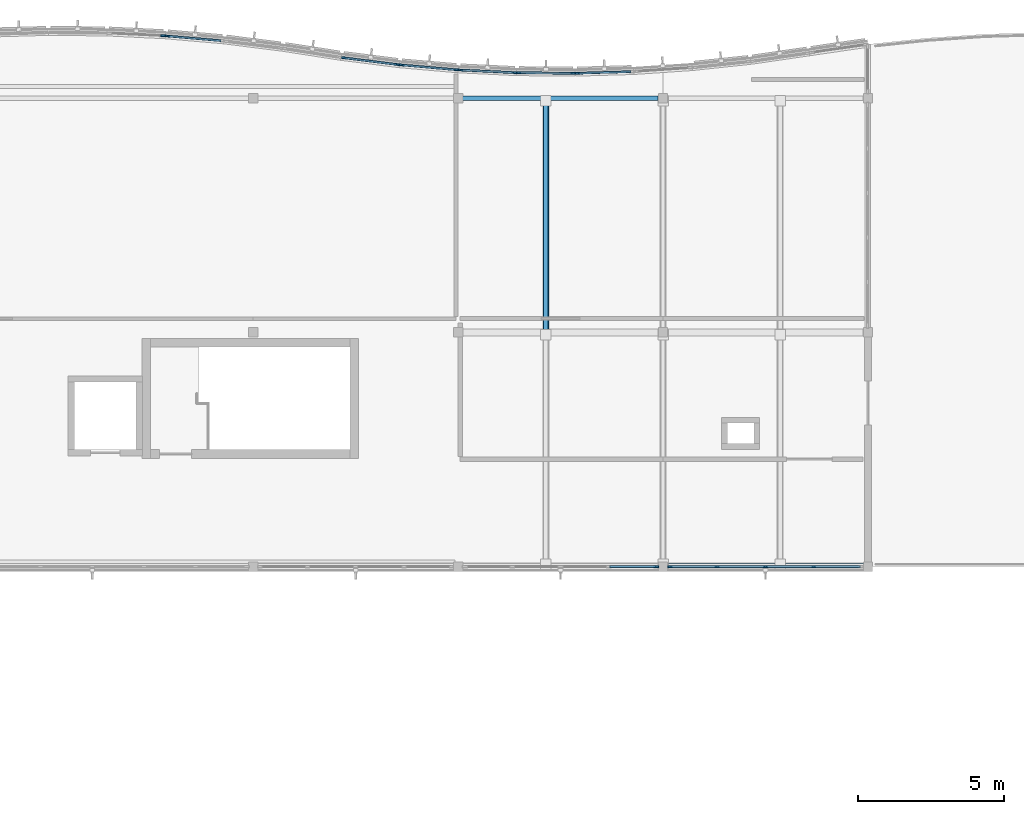
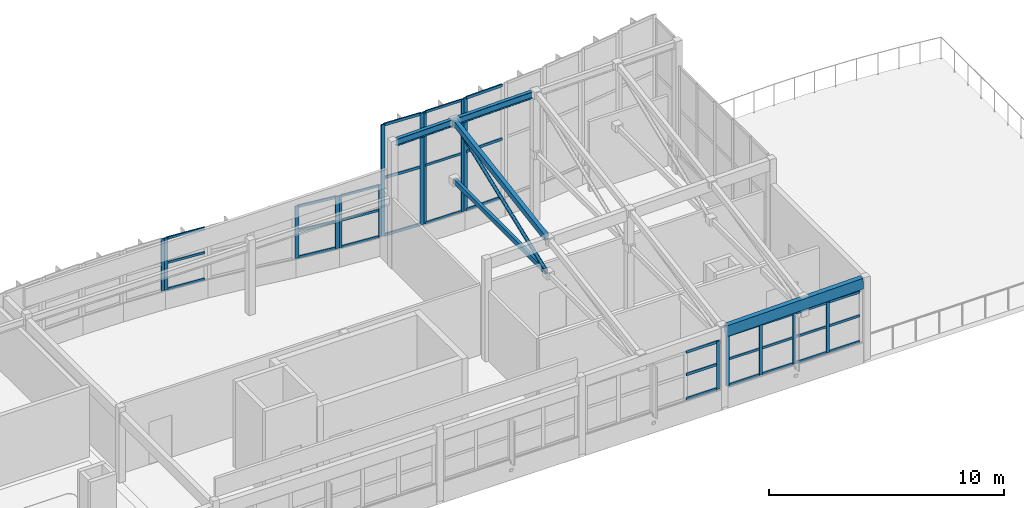
# One storey, part 11 of 33: 52 members, 2 beams, 9 elements without a shape of their own.
"""IFC4 building model written with IfcOpenShell, lengths in metres."""

from ifc_helpers import new_model, si_unit, direction, frame, origin, origin_2d, place, context, subcontext, project, spatial, rectangle, hollow_rectangle, hollow_circle, i_section, extrude, material, layer, layer_set, material_profile, profile_set, type_object, element, aggregate, save


model = new_model("IFC4")

# Units and contexts
model_context = context("Model", 3, precision=1e-05, world=origin(), true_north=direction((0.0, 1.0)))
body_context = subcontext(model_context, "Body", "Model", "MODEL_VIEW")
ifc_project = project(units=[si_unit("LENGTHUNIT", "METRE"), si_unit("AREAUNIT", "SQUARE_METRE"), si_unit("VOLUMEUNIT", "CUBIC_METRE"), si_unit("PLANEANGLEUNIT", "RADIAN"), si_unit("MASSUNIT", "GRAM", prefix="KILO")], contexts=[model_context])

# Site, building, storey
site_placement = place(None, origin())
site = spatial("IfcSite", under=ifc_project, at=site_placement, CompositionType="ELEMENT")
building_placement = place(site_placement, origin())
building = spatial("IfcBuilding", under=site, at=building_placement, Name="Tonlespit Floodbar School", CompositionType="ELEMENT")
storey_placement = place(building_placement, frame((0.0, 0.0, 16.199951171875)))
storey = spatial("IfcBuildingStorey", under=building, at=storey_placement, Name="L04", CompositionType="ELEMENT", Elevation=16.199951171875)

# Beam
ifc_material_1 = material(Name="Glulam GL28h", Category="wood")
ifc_material_profile_1 = material_profile(ifc_material_1, rectangle(XDim=0.239990234375, YDim=0.56005859375, at=origin_2d()), Name="GL 240x560")
ifc_profile_set_1 = profile_set([ifc_material_profile_1], Name="Glulam GL28h")
beam_type_1 = type_object("IfcBeamType", Name="Beam_GL_240x560", PredefinedType="BEAM", material=ifc_profile_set_1)
beam_1_placement = place(storey_placement, frame((141.159912109375, 104.0, 3.868408203125), z_axis=(0.999786121149, 0.0, 0.020681198179), x_axis=(0.0, 1.0, 0.0)))
element("IfcBeam", 1, at=beam_1_placement, inside=storey, type_object=beam_type_1, Name="L04 girder 1290", PredefinedType="BEAM", context=body_context, shape_type="SweptSolid", body=[
    extrude(rectangle(XDim=0.239990234375, YDim=0.56005859375, at=origin_2d()), origin(), (0.0, 0.0, 1.0), 6.681640625),
])

# Member
ifc_material_2 = material(Name="Steel S355", Category="steel")
ifc_material_profile_2 = material_profile(ifc_material_2, hollow_circle(Radius=0.084228515625, WallThickness=0.008056640625, at=origin_2d()), Name="CHS 168.3x8")
ifc_profile_set_2 = profile_set([ifc_material_profile_2], Name="Steel S355")
member_type_1 = type_object("IfcMemberType", Name="Brace_STL_CHS168", PredefinedType="BRACE", material=ifc_profile_set_2)
member_1_placement = place(storey_placement, frame((137.0, 112.1201171875, 3.47998046875), z_axis=(0.0, 0.933558161895, 0.358425945432), x_axis=(-1.0, 0.0, 0.0)))
element("IfcMember", 2, at=member_1_placement, inside=storey, type_object=member_type_1, Name="Northlight truss diagonal web 1-2", PredefinedType="BRACE", context=body_context, shape_type="SweptSolid", body=[
    extrude(hollow_circle(Radius=0.084228515625, WallThickness=0.008056640625, at=origin_2d()), origin(), (0.0, 0.0, 1.0), 8.31201171875),
])

# Curtain wall, member
ifc_material_3 = material(Name="Anodised Aluminium", Category="aluminium")
ifc_layer_1 = layer(ifc_material_3, 0.159912109375)
ifc_layer_set_1 = layer_set([ifc_layer_1], Name="Anodised Aluminium")
curtain_wall_type_1 = type_object("IfcCurtainWallType", Name="CurtainWall_1950x2700", PredefinedType="NOTDEFINED", material=ifc_layer_set_1)
curtain_wall_1_placement = place(storey_placement, origin())
curtain_wall_1 = element("IfcCurtainWall", 3, at=curtain_wall_1_placement, inside=storey, type_object=curtain_wall_type_1, Name="L04 unitised curtain wall 0478", PredefinedType="NOTDEFINED")
ifc_material_profile_3 = material_profile(ifc_material_3, rectangle(XDim=0.06494140625, YDim=0.14990234375, at=origin_2d()), Name="ALU M65x150")
ifc_profile_set_3 = profile_set([ifc_material_profile_3], Name="Anodised Aluminium")
member_type_2 = type_object("IfcMemberType", Name="CW_Mullion_65x150", PredefinedType="MULLION", material=ifc_profile_set_3)
member_2_placement = place(storey_placement, frame((124.072265625, 122.125244140625, 0.949951171875), z_axis=(0.0, 0.0, 1.0), x_axis=(0.086531117454, 0.996249148412, 0.0)))
member_2 = element("IfcMember", 4, at=member_2_placement, type_object=member_type_2, Name="CW-04 mullion 1", PredefinedType="MULLION", context=body_context, shape_type="SweptSolid", body=[
    extrude(rectangle(XDim=0.06494140625, YDim=0.14990234375, at=origin_2d()), origin(), (0.0, 0.0, 1.0), 2.7041015625),
])

# Curtain wall, members
curtain_wall_2_placement = place(storey_placement, origin())
curtain_wall_2 = element("IfcCurtainWall", 5, at=curtain_wall_2_placement, inside=storey, type_object=curtain_wall_type_1, Name="L04 unitised curtain wall 0482", PredefinedType="NOTDEFINED")
member_3_placement = place(storey_placement, frame((132.072265625, 121.135986328125, 0.949951171875), z_axis=(0.0, 0.0, 1.0), x_axis=(0.086531117454, 0.996249148412, 0.0)))
member_3 = element("IfcMember", 6, at=member_3_placement, type_object=member_type_2, Name="CW-04 mullion 1", PredefinedType="MULLION", context=body_context, shape_type="SweptSolid", body=[
    extrude(rectangle(XDim=0.06494140625, YDim=0.14990234375, at=origin_2d()), origin(), (0.0, 0.0, 1.0), 2.7041015625),
])
member_4_placement = place(storey_placement, frame((133.927734375, 120.974853515625, 0.949951171875), z_axis=(0.0, 0.0, 1.0), x_axis=(0.086531117454, 0.996249148412, 0.0)))
member_4 = element("IfcMember", 7, at=member_4_placement, type_object=member_type_2, Name="CW-04 mullion 2", PredefinedType="MULLION", context=body_context, shape_type="SweptSolid", body=[
    extrude(rectangle(XDim=0.06494140625, YDim=0.14990234375, at=origin_2d()), origin(), (0.0, 0.0, 1.0), 2.7041015625),
])

ifc_layer_2 = layer(ifc_material_3, 0.159912109375)
ifc_layer_set_2 = layer_set([ifc_layer_2], Name="Anodised Aluminium")
curtain_wall_type_2 = type_object("IfcCurtainWallType", Name="CurtainWall_1900x5850", PredefinedType="NOTDEFINED", material=ifc_layer_set_2)
curtain_wall_3_placement = place(storey_placement, origin())
curtain_wall_3 = element("IfcCurtainWall", 8, at=curtain_wall_3_placement, inside=storey, type_object=curtain_wall_type_2, Name="L04 unitised curtain wall 0484", PredefinedType="NOTDEFINED")
member_5_placement = place(storey_placement, frame((136.072509765625, 120.87158203125, 0.949951171875), z_axis=(0.0, 0.0, 1.0), x_axis=(0.009582893292, 0.999954083024, 0.0)))
member_5 = element("IfcMember", 9, at=member_5_placement, type_object=member_type_2, Name="CW-70 mullion 1", PredefinedType="MULLION", context=body_context, shape_type="SweptSolid", body=[
    extrude(rectangle(XDim=0.06494140625, YDim=0.14990234375, at=origin_2d()), origin(), (0.0, 0.0, 1.0), 5.82861328125),
])
member_6_placement = place(storey_placement, frame((137.927490234375, 120.853759765625, 0.949951171875), z_axis=(0.0, 0.0, 1.0), x_axis=(0.009582893292, 0.999954083024, 0.0)))
member_6 = element("IfcMember", 10, at=member_6_placement, type_object=member_type_2, Name="CW-70 mullion 2", PredefinedType="MULLION", context=body_context, shape_type="SweptSolid", body=[
    extrude(rectangle(XDim=0.06494140625, YDim=0.14990234375, at=origin_2d()), origin(), (0.0, 0.0, 1.0), 5.82861328125),
])

ifc_layer_3 = layer(ifc_material_3, 0.159912109375)
ifc_layer_set_3 = layer_set([ifc_layer_3], Name="Anodised Aluminium")
curtain_wall_type_3 = type_object("IfcCurtainWallType", Name="CurtainWall_6600x2650", PredefinedType="NOTDEFINED", material=ifc_layer_set_3)
curtain_wall_4_placement = place(storey_placement, origin())
curtain_wall_4 = element("IfcCurtainWall", 11, at=curtain_wall_4_placement, inside=storey, type_object=curtain_wall_type_3, Name="L04 unitised curtain wall 0492", PredefinedType="NOTDEFINED")
member_7_placement = place(storey_placement, frame((146.14990234375, 104.0, 0.949951171875), z_axis=(0.0, 0.0, 1.0), x_axis=(0.0, -1.0, 0.0)))
member_7 = element("IfcMember", 12, at=member_7_placement, type_object=member_type_2, Name="CW-77 mullion 2", PredefinedType="MULLION", context=body_context, shape_type="SweptSolid", body=[
    extrude(rectangle(XDim=0.06494140625, YDim=0.14990234375, at=origin_2d()), origin(), (0.0, 0.0, 1.0), 2.638427734375),
])
member_8_placement = place(storey_placement, frame((144.5, 104.0, 0.949951171875), z_axis=(0.0, 0.0, 1.0), x_axis=(0.0, -1.0, 0.0)))
member_8 = element("IfcMember", 13, at=member_8_placement, type_object=member_type_2, Name="CW-77 mullion 3", PredefinedType="MULLION", context=body_context, shape_type="SweptSolid", body=[
    extrude(rectangle(XDim=0.06494140625, YDim=0.14990234375, at=origin_2d()), origin(), (0.0, 0.0, 1.0), 2.638427734375),
])
member_9_placement = place(storey_placement, frame((142.85009765625, 104.0, 0.949951171875), z_axis=(0.0, 0.0, 1.0), x_axis=(0.0, -1.0, 0.0)))
member_9 = element("IfcMember", 14, at=member_9_placement, type_object=member_type_2, Name="CW-77 mullion 4", PredefinedType="MULLION", context=body_context, shape_type="SweptSolid", body=[
    extrude(rectangle(XDim=0.06494140625, YDim=0.14990234375, at=origin_2d()), origin(), (0.0, 0.0, 1.0), 2.638427734375),
])
member_10_placement = place(storey_placement, frame((141.232421875, 104.0, 0.949951171875), z_axis=(0.0, 0.0, 1.0), x_axis=(0.0, -1.0, 0.0)))
member_10 = element("IfcMember", 15, at=member_10_placement, type_object=member_type_2, Name="CW-77 mullion 5", PredefinedType="MULLION", context=body_context, shape_type="SweptSolid", body=[
    extrude(rectangle(XDim=0.06494140625, YDim=0.14990234375, at=origin_2d()), origin(), (0.0, 0.0, 1.0), 2.638427734375),
])

# Curtain wall, member
ifc_layer_4 = layer(ifc_material_3, 0.159912109375)
ifc_layer_set_4 = layer_set([ifc_layer_4], Name="Anodised Aluminium")
curtain_wall_type_4 = type_object("IfcCurtainWallType", Name="CurtainWall_1900x2700", PredefinedType="NOTDEFINED", material=ifc_layer_set_4)
curtain_wall_5_placement = place(storey_placement, origin())
curtain_wall_5 = element("IfcCurtainWall", 16, at=curtain_wall_5_placement, inside=storey, type_object=curtain_wall_type_4, Name="L04 unitised curtain wall 0477", PredefinedType="NOTDEFINED")
ifc_material_profile_4 = material_profile(ifc_material_3, rectangle(XDim=0.06494140625, YDim=0.179931640625, at=origin_2d()), Name="ALU M65x180")
ifc_profile_set_4 = profile_set([ifc_material_profile_4], Name="Anodised Aluminium")
member_type_3 = type_object("IfcMemberType", Name="CW_Mullion_65x180", PredefinedType="MULLION", material=ifc_profile_set_4)
member_11_placement = place(storey_placement, frame((123.927490234375, 122.135009765625, 0.949951171875), z_axis=(0.0, 0.0, 1.0), x_axis=(0.048121270216, 0.998841500616, 0.0)))
member_11 = element("IfcMember", 17, at=member_11_placement, type_object=member_type_3, Name="CW-05 mullion 2", PredefinedType="MULLION", context=body_context, shape_type="SweptSolid", body=[
    extrude(rectangle(XDim=0.06494140625, YDim=0.179931640625, at=origin_2d()), origin(), (0.0, 0.0, 1.0), 2.7041015625),
])
aggregate(curtain_wall_5, [member_11])

# Curtain wall, members
curtain_wall_6_placement = place(storey_placement, origin())
curtain_wall_6 = element("IfcCurtainWall", 18, at=curtain_wall_6_placement, inside=storey, type_object=curtain_wall_type_1, Name="L04 unitised curtain wall 0481", PredefinedType="NOTDEFINED")
member_12_placement = place(storey_placement, frame((130.072021484375, 121.38525390625, 0.949951171875), z_axis=(0.0, 0.0, 1.0), x_axis=(0.125013803299, 0.992155002499, 0.0)))
member_12 = element("IfcMember", 19, at=member_12_placement, type_object=member_type_3, Name="CW-04 mullion 1", PredefinedType="MULLION", context=body_context, shape_type="SweptSolid", body=[
    extrude(rectangle(XDim=0.06494140625, YDim=0.179931640625, at=origin_2d()), origin(), (0.0, 0.0, 1.0), 2.7041015625),
])
member_13_placement = place(storey_placement, frame((131.927978515625, 121.1513671875, 0.949951171875), z_axis=(0.0, 0.0, 1.0), x_axis=(0.125013803299, 0.992155002499, 0.0)))
member_13 = element("IfcMember", 20, at=member_13_placement, type_object=member_type_3, Name="CW-04 mullion 2", PredefinedType="MULLION", context=body_context, shape_type="SweptSolid", body=[
    extrude(rectangle(XDim=0.06494140625, YDim=0.179931640625, at=origin_2d()), origin(), (0.0, 0.0, 1.0), 2.7041015625),
])

ifc_layer_5 = layer(ifc_material_3, 0.159912109375)
ifc_layer_set_5 = layer_set([ifc_layer_5], Name="Anodised Aluminium")
curtain_wall_type_5 = type_object("IfcCurtainWallType", Name="CurtainWall_1900x5800", PredefinedType="NOTDEFINED", material=ifc_layer_set_5)
curtain_wall_7_placement = place(storey_placement, origin())
curtain_wall_7 = element("IfcCurtainWall", 21, at=curtain_wall_7_placement, inside=storey, type_object=curtain_wall_type_5, Name="L04 unitised curtain wall 0483", PredefinedType="NOTDEFINED")
member_14_placement = place(storey_placement, frame((134.072509765625, 120.965087890625, 0.949951171875), z_axis=(0.0, 0.0, 1.0), x_axis=(0.048121270216, 0.998841500616, 0.0)))
member_14 = element("IfcMember", 22, at=member_14_placement, type_object=member_type_3, Name="CW-69 mullion 1", PredefinedType="MULLION", context=body_context, shape_type="SweptSolid", body=[
    extrude(rectangle(XDim=0.06494140625, YDim=0.179931640625, at=origin_2d()), origin(), (0.0, 0.0, 1.0), 5.802490234375),
])
member_15_placement = place(storey_placement, frame((135.927490234375, 120.875732421875, 0.949951171875), z_axis=(0.0, 0.0, 1.0), x_axis=(0.048121270216, 0.998841500616, 0.0)))
member_15 = element("IfcMember", 23, at=member_15_placement, type_object=member_type_3, Name="CW-69 mullion 2", PredefinedType="MULLION", context=body_context, shape_type="SweptSolid", body=[
    extrude(rectangle(XDim=0.06494140625, YDim=0.179931640625, at=origin_2d()), origin(), (0.0, 0.0, 1.0), 5.802490234375),
])

# Curtain wall, member
curtain_wall_8_placement = place(storey_placement, origin())
curtain_wall_8 = element("IfcCurtainWall", 24, at=curtain_wall_8_placement, inside=storey, type_object=curtain_wall_type_2, Name="L04 unitised curtain wall 0485", PredefinedType="NOTDEFINED")
member_16_placement = place(storey_placement, frame((138.072509765625, 120.855224609375, 0.949951171875), z_axis=(0.0, 0.0, 1.0), x_axis=(-0.028790144226, 0.999585477883, 0.0)))
member_16 = element("IfcMember", 25, at=member_16_placement, type_object=member_type_3, Name="CW-70 mullion 1", PredefinedType="MULLION", context=body_context, shape_type="SweptSolid", body=[
    extrude(rectangle(XDim=0.06494140625, YDim=0.179931640625, at=origin_2d()), origin(), (0.0, 0.0, 1.0), 5.86669921875),
])

ifc_layer_6 = layer(ifc_material_3, 0.159912109375)
ifc_layer_set_6 = layer_set([ifc_layer_6], Name="Anodised Aluminium")
curtain_wall_type_6 = type_object("IfcCurtainWallType", Name="CurtainWall_6600x2500", PredefinedType="NOTDEFINED", material=ifc_layer_set_6)
curtain_wall_9_placement = place(storey_placement, origin())
curtain_wall_9 = element("IfcCurtainWall", 26, at=curtain_wall_9_placement, inside=storey, type_object=curtain_wall_type_6, Name="L04 unitised curtain wall 0493", PredefinedType="NOTDEFINED")
member_17_placement = place(storey_placement, frame((140.767578125, 104.0, 0.949951171875), z_axis=(0.0, 0.0, 1.0), x_axis=(0.0, -1.0, 0.0)))
member_17 = element("IfcMember", 27, at=member_17_placement, type_object=member_type_3, Name="CW-78 mullion 1", PredefinedType="MULLION", context=body_context, shape_type="SweptSolid", body=[
    extrude(rectangle(XDim=0.06494140625, YDim=0.179931640625, at=origin_2d()), origin(), (0.0, 0.0, 1.0), 2.49365234375),
])

# Member
ifc_material_profile_5 = material_profile(ifc_material_3, rectangle(XDim=0.06494140625, YDim=0.1201171875, at=origin_2d()), Name="ALU T65x120")
ifc_profile_set_5 = profile_set([ifc_material_profile_5], Name="Anodised Aluminium")
member_type_4 = type_object("IfcMemberType", Name="CW_Transom_65x120", PredefinedType="USERDEFINED", material=ifc_profile_set_5)
member_18_placement = place(storey_placement, frame((124.1044921875, 122.122314453125, 0.982666015625), z_axis=(0.996251281774, -0.086506552139, 0.0), x_axis=(0.086506552139, 0.996251281774, 0.0)))
member_18 = element("IfcMember", 28, at=member_18_placement, type_object=member_type_4, Name="CW-04 transom 1.1", ObjectType="TRANSOM", PredefinedType="USERDEFINED", context=body_context, shape_type="SweptSolid", body=[
    extrude(rectangle(XDim=0.06494140625, YDim=0.1201171875, at=origin_2d()), origin(), (0.0, 0.0, 1.0), 1.7978515625),
])

member_19_placement = place(storey_placement, frame((124.1044921875, 122.122314453125, 2.356201171875), z_axis=(0.996251281774, -0.086506552139, 0.0), x_axis=(0.086506552139, 0.996251281774, 0.0)))
member_19 = element("IfcMember", 29, at=member_19_placement, type_object=member_type_4, Name="CW-04 transom 1.2", ObjectType="TRANSOM", PredefinedType="USERDEFINED", context=body_context, shape_type="SweptSolid", body=[
    extrude(rectangle(XDim=0.06494140625, YDim=0.1201171875, at=origin_2d()), origin(), (0.0, 0.0, 1.0), 1.7978515625),
])

member_20_placement = place(storey_placement, frame((124.1044921875, 122.122314453125, 3.62158203125), z_axis=(0.996251281774, -0.086506552139, 0.0), x_axis=(0.086506552139, 0.996251281774, 0.0)))
member_20 = element("IfcMember", 30, at=member_20_placement, type_object=member_type_4, Name="CW-04 transom 1.3", ObjectType="TRANSOM", PredefinedType="USERDEFINED", context=body_context, shape_type="SweptSolid", body=[
    extrude(rectangle(XDim=0.06494140625, YDim=0.1201171875, at=origin_2d()), origin(), (0.0, 0.0, 1.0), 1.7978515625),
])

aggregate(curtain_wall_1, [member_2, member_18, member_19, member_20])

member_21_placement = place(storey_placement, frame((132.1044921875, 121.133056640625, 0.982666015625), z_axis=(0.996251281774, -0.086506552139, 0.0), x_axis=(0.086506552139, 0.996251281774, 0.0)))
member_21 = element("IfcMember", 31, at=member_21_placement, type_object=member_type_4, Name="CW-04 transom 1.1", ObjectType="TRANSOM", PredefinedType="USERDEFINED", context=body_context, shape_type="SweptSolid", body=[
    extrude(rectangle(XDim=0.06494140625, YDim=0.1201171875, at=origin_2d()), origin(), (0.0, 0.0, 1.0), 1.7978515625),
])

member_22_placement = place(storey_placement, frame((132.1044921875, 121.133056640625, 2.356201171875), z_axis=(0.996251281774, -0.086506552139, 0.0), x_axis=(0.086506552139, 0.996251281774, 0.0)))
member_22 = element("IfcMember", 32, at=member_22_placement, type_object=member_type_4, Name="CW-04 transom 1.2", ObjectType="TRANSOM", PredefinedType="USERDEFINED", context=body_context, shape_type="SweptSolid", body=[
    extrude(rectangle(XDim=0.06494140625, YDim=0.1201171875, at=origin_2d()), origin(), (0.0, 0.0, 1.0), 1.7978515625),
])

member_23_placement = place(storey_placement, frame((132.1044921875, 121.133056640625, 3.62158203125), z_axis=(0.996251281774, -0.086506552139, 0.0), x_axis=(0.086506552139, 0.996251281774, 0.0)))
member_23 = element("IfcMember", 33, at=member_23_placement, type_object=member_type_4, Name="CW-04 transom 1.3", ObjectType="TRANSOM", PredefinedType="USERDEFINED", context=body_context, shape_type="SweptSolid", body=[
    extrude(rectangle(XDim=0.06494140625, YDim=0.1201171875, at=origin_2d()), origin(), (0.0, 0.0, 1.0), 1.7978515625),
])

aggregate(curtain_wall_2, [member_3, member_4, member_21, member_22, member_23])

member_24_placement = place(storey_placement, frame((136.10498046875, 120.87109375, 0.982666015625), z_axis=(0.999954428693, -0.00954675532, 0.0), x_axis=(0.00954675532, 0.999954428693, 0.0)))
member_24 = element("IfcMember", 34, at=member_24_placement, type_object=member_type_4, Name="CW-70 transom 1.1", ObjectType="TRANSOM", PredefinedType="USERDEFINED", context=body_context, shape_type="SweptSolid", body=[
    extrude(rectangle(XDim=0.06494140625, YDim=0.1201171875, at=origin_2d()), origin(), (0.0, 0.0, 1.0), 1.7900390625),
])

member_25_placement = place(storey_placement, frame((136.10498046875, 120.87109375, 3.98095703125), z_axis=(0.999954428693, -0.00954675532, 0.0), x_axis=(0.00954675532, 0.999954428693, 0.0)))
member_25 = element("IfcMember", 35, at=member_25_placement, type_object=member_type_4, Name="CW-70 transom 1.2", ObjectType="TRANSOM", PredefinedType="USERDEFINED", context=body_context, shape_type="SweptSolid", body=[
    extrude(rectangle(XDim=0.06494140625, YDim=0.1201171875, at=origin_2d()), origin(), (0.0, 0.0, 1.0), 1.7900390625),
])

member_26_placement = place(storey_placement, frame((136.10498046875, 120.87109375, 6.745849609375), z_axis=(0.999954428693, -0.00954675532, 0.0), x_axis=(0.00954675532, 0.999954428693, 0.0)))
member_26 = element("IfcMember", 36, at=member_26_placement, type_object=member_type_4, Name="CW-70 transom 1.3", ObjectType="TRANSOM", PredefinedType="USERDEFINED", context=body_context, shape_type="SweptSolid", body=[
    extrude(rectangle(XDim=0.06494140625, YDim=0.1201171875, at=origin_2d()), origin(), (0.0, 0.0, 1.0), 1.7900390625),
])

aggregate(curtain_wall_3, [member_5, member_6, member_24, member_25, member_26])

member_27_placement = place(storey_placement, frame((147.735107421875, 104.0, 0.982666015625), z_axis=(-1.0, 0.0, 0.0), x_axis=(0.0, -1.0, 0.0)))
member_27 = element("IfcMember", 37, at=member_27_placement, type_object=member_type_4, Name="CW-77 transom 1.1", ObjectType="TRANSOM", PredefinedType="USERDEFINED", context=body_context, shape_type="SweptSolid", body=[
    extrude(rectangle(XDim=0.06494140625, YDim=0.1201171875, at=origin_2d()), origin(), (0.0, 0.0, 1.0), 1.552490234375),
])

member_28_placement = place(storey_placement, frame((147.735107421875, 104.0, 2.322021484375), z_axis=(-1.0, 0.0, 0.0), x_axis=(0.0, -1.0, 0.0)))
member_28 = element("IfcMember", 38, at=member_28_placement, type_object=member_type_4, Name="CW-77 transom 1.2", ObjectType="TRANSOM", PredefinedType="USERDEFINED", context=body_context, shape_type="SweptSolid", body=[
    extrude(rectangle(XDim=0.06494140625, YDim=0.1201171875, at=origin_2d()), origin(), (0.0, 0.0, 1.0), 1.552490234375),
])

member_29_placement = place(storey_placement, frame((147.735107421875, 104.0, 3.555908203125), z_axis=(-1.0, 0.0, 0.0), x_axis=(0.0, -1.0, 0.0)))
member_29 = element("IfcMember", 39, at=member_29_placement, type_object=member_type_4, Name="CW-77 transom 1.3", ObjectType="TRANSOM", PredefinedType="USERDEFINED", context=body_context, shape_type="SweptSolid", body=[
    extrude(rectangle(XDim=0.06494140625, YDim=0.1201171875, at=origin_2d()), origin(), (0.0, 0.0, 1.0), 1.552490234375),
])

member_30_placement = place(storey_placement, frame((146.117431640625, 104.0, 0.982666015625), z_axis=(-1.0, 0.0, 0.0), x_axis=(0.0, -1.0, 0.0)))
member_30 = element("IfcMember", 40, at=member_30_placement, type_object=member_type_4, Name="CW-77 transom 2.1", ObjectType="TRANSOM", PredefinedType="USERDEFINED", context=body_context, shape_type="SweptSolid", body=[
    extrude(rectangle(XDim=0.06494140625, YDim=0.1201171875, at=origin_2d()), origin(), (0.0, 0.0, 1.0), 1.5849609375),
])

member_31_placement = place(storey_placement, frame((146.117431640625, 104.0, 2.322021484375), z_axis=(-1.0, 0.0, 0.0), x_axis=(0.0, -1.0, 0.0)))
member_31 = element("IfcMember", 41, at=member_31_placement, type_object=member_type_4, Name="CW-77 transom 2.2", ObjectType="TRANSOM", PredefinedType="USERDEFINED", context=body_context, shape_type="SweptSolid", body=[
    extrude(rectangle(XDim=0.06494140625, YDim=0.1201171875, at=origin_2d()), origin(), (0.0, 0.0, 1.0), 1.5849609375),
])

member_32_placement = place(storey_placement, frame((146.117431640625, 104.0, 3.555908203125), z_axis=(-1.0, 0.0, 0.0), x_axis=(0.0, -1.0, 0.0)))
member_32 = element("IfcMember", 42, at=member_32_placement, type_object=member_type_4, Name="CW-77 transom 2.3", ObjectType="TRANSOM", PredefinedType="USERDEFINED", context=body_context, shape_type="SweptSolid", body=[
    extrude(rectangle(XDim=0.06494140625, YDim=0.1201171875, at=origin_2d()), origin(), (0.0, 0.0, 1.0), 1.5849609375),
])

member_33_placement = place(storey_placement, frame((144.467529296875, 104.0, 0.982666015625), z_axis=(-1.0, 0.0, 0.0), x_axis=(0.0, -1.0, 0.0)))
member_33 = element("IfcMember", 43, at=member_33_placement, type_object=member_type_4, Name="CW-77 transom 3.1", ObjectType="TRANSOM", PredefinedType="USERDEFINED", context=body_context, shape_type="SweptSolid", body=[
    extrude(rectangle(XDim=0.06494140625, YDim=0.1201171875, at=origin_2d()), origin(), (0.0, 0.0, 1.0), 1.5849609375),
])

member_34_placement = place(storey_placement, frame((144.467529296875, 104.0, 2.322021484375), z_axis=(-1.0, 0.0, 0.0), x_axis=(0.0, -1.0, 0.0)))
member_34 = element("IfcMember", 44, at=member_34_placement, type_object=member_type_4, Name="CW-77 transom 3.2", ObjectType="TRANSOM", PredefinedType="USERDEFINED", context=body_context, shape_type="SweptSolid", body=[
    extrude(rectangle(XDim=0.06494140625, YDim=0.1201171875, at=origin_2d()), origin(), (0.0, 0.0, 1.0), 1.5849609375),
])

member_35_placement = place(storey_placement, frame((144.467529296875, 104.0, 3.555908203125), z_axis=(-1.0, 0.0, 0.0), x_axis=(0.0, -1.0, 0.0)))
member_35 = element("IfcMember", 45, at=member_35_placement, type_object=member_type_4, Name="CW-77 transom 3.3", ObjectType="TRANSOM", PredefinedType="USERDEFINED", context=body_context, shape_type="SweptSolid", body=[
    extrude(rectangle(XDim=0.06494140625, YDim=0.1201171875, at=origin_2d()), origin(), (0.0, 0.0, 1.0), 1.5849609375),
])

member_36_placement = place(storey_placement, frame((142.8173828125, 104.0, 0.982666015625), z_axis=(-1.0, 0.0, 0.0), x_axis=(0.0, -1.0, 0.0)))
member_36 = element("IfcMember", 46, at=member_36_placement, type_object=member_type_4, Name="CW-77 transom 4.1", ObjectType="TRANSOM", PredefinedType="USERDEFINED", context=body_context, shape_type="SweptSolid", body=[
    extrude(rectangle(XDim=0.06494140625, YDim=0.1201171875, at=origin_2d()), origin(), (0.0, 0.0, 1.0), 1.552490234375),
])

member_37_placement = place(storey_placement, frame((142.8173828125, 104.0, 2.322021484375), z_axis=(-1.0, 0.0, 0.0), x_axis=(0.0, -1.0, 0.0)))
member_37 = element("IfcMember", 47, at=member_37_placement, type_object=member_type_4, Name="CW-77 transom 4.2", ObjectType="TRANSOM", PredefinedType="USERDEFINED", context=body_context, shape_type="SweptSolid", body=[
    extrude(rectangle(XDim=0.06494140625, YDim=0.1201171875, at=origin_2d()), origin(), (0.0, 0.0, 1.0), 1.552490234375),
])

member_38_placement = place(storey_placement, frame((142.8173828125, 104.0, 3.555908203125), z_axis=(-1.0, 0.0, 0.0), x_axis=(0.0, -1.0, 0.0)))
member_38 = element("IfcMember", 48, at=member_38_placement, type_object=member_type_4, Name="CW-77 transom 4.3", ObjectType="TRANSOM", PredefinedType="USERDEFINED", context=body_context, shape_type="SweptSolid", body=[
    extrude(rectangle(XDim=0.06494140625, YDim=0.1201171875, at=origin_2d()), origin(), (0.0, 0.0, 1.0), 1.552490234375),
])

aggregate(curtain_wall_4, [member_7, member_8, member_9, member_10, member_27, member_28, member_29, member_30, member_31, member_32, member_33, member_34, member_35, member_36, member_37, member_38])

ifc_material_profile_6 = material_profile(ifc_material_3, rectangle(XDim=0.06494140625, YDim=0.139892578125, at=origin_2d()), Name="ALU T65x140")
ifc_profile_set_6 = profile_set([ifc_material_profile_6], Name="Anodised Aluminium")
member_type_5 = type_object("IfcMemberType", Name="CW_Transom_65x140", PredefinedType="USERDEFINED", material=ifc_profile_set_6)
member_39_placement = place(storey_placement, frame((130.104248046875, 121.381103515625, 0.982666015625), z_axis=(0.992165142165, -0.124933304901, 0.0), x_axis=(0.124933304901, 0.992165142165, 0.0)))
member_39 = element("IfcMember", 49, at=member_39_placement, type_object=member_type_5, Name="CW-04 transom 1.1", ObjectType="TRANSOM", PredefinedType="USERDEFINED", context=body_context, shape_type="SweptSolid", body=[
    extrude(rectangle(XDim=0.06494140625, YDim=0.139892578125, at=origin_2d()), origin(), (0.0, 0.0, 1.0), 1.8056640625),
])

member_40_placement = place(storey_placement, frame((130.104248046875, 121.381103515625, 2.356201171875), z_axis=(0.992165142165, -0.124933304901, 0.0), x_axis=(0.124933304901, 0.992165142165, 0.0)))
member_40 = element("IfcMember", 50, at=member_40_placement, type_object=member_type_5, Name="CW-04 transom 1.2", ObjectType="TRANSOM", PredefinedType="USERDEFINED", context=body_context, shape_type="SweptSolid", body=[
    extrude(rectangle(XDim=0.06494140625, YDim=0.139892578125, at=origin_2d()), origin(), (0.0, 0.0, 1.0), 1.8056640625),
])

member_41_placement = place(storey_placement, frame((130.104248046875, 121.381103515625, 3.62158203125), z_axis=(0.992165142165, -0.124933304901, 0.0), x_axis=(0.124933304901, 0.992165142165, 0.0)))
member_41 = element("IfcMember", 51, at=member_41_placement, type_object=member_type_5, Name="CW-04 transom 1.3", ObjectType="TRANSOM", PredefinedType="USERDEFINED", context=body_context, shape_type="SweptSolid", body=[
    extrude(rectangle(XDim=0.06494140625, YDim=0.139892578125, at=origin_2d()), origin(), (0.0, 0.0, 1.0), 1.8056640625),
])

aggregate(curtain_wall_6, [member_12, member_13, member_39, member_40, member_41])

member_42_placement = place(storey_placement, frame((134.10498046875, 120.96337890625, 0.982666015625), z_axis=(0.998843034795, -0.048089415069, 0.0), x_axis=(0.048089415069, 0.998843034795, 0.0)))
member_42 = element("IfcMember", 52, at=member_42_placement, type_object=member_type_5, Name="CW-69 transom 1.1", ObjectType="TRANSOM", PredefinedType="USERDEFINED", context=body_context, shape_type="SweptSolid", body=[
    extrude(rectangle(XDim=0.06494140625, YDim=0.139892578125, at=origin_2d()), origin(), (0.0, 0.0, 1.0), 1.7919921875),
])

member_43_placement = place(storey_placement, frame((134.10498046875, 120.96337890625, 3.96728515625), z_axis=(0.998843034795, -0.048089415069, 0.0), x_axis=(0.048089415069, 0.998843034795, 0.0)))
member_43 = element("IfcMember", 53, at=member_43_placement, type_object=member_type_5, Name="CW-69 transom 1.2", ObjectType="TRANSOM", PredefinedType="USERDEFINED", context=body_context, shape_type="SweptSolid", body=[
    extrude(rectangle(XDim=0.06494140625, YDim=0.139892578125, at=origin_2d()), origin(), (0.0, 0.0, 1.0), 1.7919921875),
])

member_44_placement = place(storey_placement, frame((134.10498046875, 120.96337890625, 6.719970703125), z_axis=(0.998843034795, -0.048089415069, 0.0), x_axis=(0.048089415069, 0.998843034795, 0.0)))
member_44 = element("IfcMember", 54, at=member_44_placement, type_object=member_type_5, Name="CW-69 transom 1.3", ObjectType="TRANSOM", PredefinedType="USERDEFINED", context=body_context, shape_type="SweptSolid", body=[
    extrude(rectangle(XDim=0.06494140625, YDim=0.139892578125, at=origin_2d()), origin(), (0.0, 0.0, 1.0), 1.7919921875),
])

aggregate(curtain_wall_7, [member_14, member_15, member_42, member_43, member_44])

member_45_placement = place(storey_placement, frame((138.10498046875, 120.85595703125, 0.982666015625), z_axis=(0.999582242166, 0.028902268868, 0.0), x_axis=(-0.028902268868, 0.999582242166, 0.0)))
member_45 = element("IfcMember", 55, at=member_45_placement, type_object=member_type_5, Name="CW-70 transom 1.1", ObjectType="TRANSOM", PredefinedType="USERDEFINED", context=body_context, shape_type="SweptSolid", body=[
    extrude(rectangle(XDim=0.06494140625, YDim=0.139892578125, at=origin_2d()), origin(), (0.0, 0.0, 1.0), 1.790771484375),
])

member_46_placement = place(storey_placement, frame((138.10498046875, 120.85595703125, 4.000732421875), z_axis=(0.999582242166, 0.028902268868, 0.0), x_axis=(-0.028902268868, 0.999582242166, 0.0)))
member_46 = element("IfcMember", 56, at=member_46_placement, type_object=member_type_5, Name="CW-70 transom 1.2", ObjectType="TRANSOM", PredefinedType="USERDEFINED", context=body_context, shape_type="SweptSolid", body=[
    extrude(rectangle(XDim=0.06494140625, YDim=0.139892578125, at=origin_2d()), origin(), (0.0, 0.0, 1.0), 1.790771484375),
])

member_47_placement = place(storey_placement, frame((138.10498046875, 120.85595703125, 6.7841796875), z_axis=(0.999582242166, 0.028902268868, 0.0), x_axis=(-0.028902268868, 0.999582242166, 0.0)))
member_47 = element("IfcMember", 57, at=member_47_placement, type_object=member_type_5, Name="CW-70 transom 1.3", ObjectType="TRANSOM", PredefinedType="USERDEFINED", context=body_context, shape_type="SweptSolid", body=[
    extrude(rectangle(XDim=0.06494140625, YDim=0.139892578125, at=origin_2d()), origin(), (0.0, 0.0, 1.0), 1.790771484375),
])

aggregate(curtain_wall_8, [member_16, member_45, member_46, member_47])

member_48_placement = place(storey_placement, frame((140.735107421875, 104.0, 0.982666015625), z_axis=(-1.0, 0.0, 0.0), x_axis=(0.0, -1.0, 0.0)))
member_48 = element("IfcMember", 58, at=member_48_placement, type_object=member_type_5, Name="CW-78 transom 1.1", ObjectType="TRANSOM", PredefinedType="USERDEFINED", context=body_context, shape_type="SweptSolid", body=[
    extrude(rectangle(XDim=0.06494140625, YDim=0.139892578125, at=origin_2d()), origin(), (0.0, 0.0, 1.0), 1.552490234375),
])

member_49_placement = place(storey_placement, frame((140.735107421875, 104.0, 2.24658203125), z_axis=(-1.0, 0.0, 0.0), x_axis=(0.0, -1.0, 0.0)))
member_49 = element("IfcMember", 59, at=member_49_placement, type_object=member_type_5, Name="CW-78 transom 1.2", ObjectType="TRANSOM", PredefinedType="USERDEFINED", context=body_context, shape_type="SweptSolid", body=[
    extrude(rectangle(XDim=0.06494140625, YDim=0.139892578125, at=origin_2d()), origin(), (0.0, 0.0, 1.0), 1.552490234375),
])

member_50_placement = place(storey_placement, frame((140.735107421875, 104.0, 3.4111328125), z_axis=(-1.0, 0.0, 0.0), x_axis=(0.0, -1.0, 0.0)))
member_50 = element("IfcMember", 60, at=member_50_placement, type_object=member_type_5, Name="CW-78 transom 1.3", ObjectType="TRANSOM", PredefinedType="USERDEFINED", context=body_context, shape_type="SweptSolid", body=[
    extrude(rectangle(XDim=0.06494140625, YDim=0.139892578125, at=origin_2d()), origin(), (0.0, 0.0, 1.0), 1.552490234375),
])

aggregate(curtain_wall_9, [member_17, member_48, member_49, member_50])

# Members
ifc_material_profile_7 = material_profile(ifc_material_2, hollow_rectangle(XDim=0.14990234375, YDim=0.25, WallThickness=0.010009765625, at=origin_2d()), Name="RHS 250x150x10")
ifc_profile_set_7 = profile_set([ifc_material_profile_7], Name="Steel S355")
member_type_6 = type_object("IfcMemberType", Name="Chord_STL_RHS250", PredefinedType="CHORD", material=ifc_profile_set_7)
member_51_placement = place(storey_placement, frame((137.0, 112.080078125, 3.449951171875), z_axis=(0.0, 1.0, 0.0), x_axis=(-1.0, 0.0, 0.0)))
element("IfcMember", 61, at=member_51_placement, inside=storey, type_object=member_type_6, Name="Northlight truss bottom chord 1-2", PredefinedType="CHORD", context=body_context, shape_type="SweptSolid", body=[
    extrude(hollow_rectangle(XDim=0.14990234375, YDim=0.25, WallThickness=0.010009765625, at=origin_2d()), origin(), (0.0, 0.0, 1.0), 7.83984375),
])
ifc_material_profile_8 = material_profile(ifc_material_2, hollow_rectangle(XDim=0.199951171875, YDim=0.300048828125, WallThickness=0.011962890625, at=origin_2d()), Name="RHS 300x200x12")
ifc_profile_set_8 = profile_set([ifc_material_profile_8], Name="Steel S355")
member_type_7 = type_object("IfcMemberType", Name="Chord_STL_RHS300", PredefinedType="CHORD", material=ifc_profile_set_8)
member_52_placement = place(storey_placement, frame((137.0, 112.080078125, 5.225830078125), z_axis=(0.0, 0.986868170536, 0.161527749886), x_axis=(-1.0, 0.0, 0.0)))
element("IfcMember", 62, at=member_52_placement, inside=storey, type_object=member_type_7, Name="Northlight truss top chord 1-2", PredefinedType="CHORD", context=body_context, shape_type="SweptSolid", body=[
    extrude(hollow_rectangle(XDim=0.199951171875, YDim=0.300048828125, WallThickness=0.011962890625, at=origin_2d()), origin(), (0.0, 0.0, 1.0), 7.944091796875),
])

# Beam
ifc_material_profile_9 = material_profile(ifc_material_2, i_section(OverallWidth=0.169921875, OverallDepth=0.360107421875, WebThickness=0.008056640625, FlangeThickness=0.0126953125, at=origin_2d()), Name="IPE 360")
ifc_profile_set_9 = profile_set([ifc_material_profile_9], Name="Steel S355")
beam_type_2 = type_object("IfcBeamType", Name="Spandrel_STL_IPE360", PredefinedType="SPANDREL", material=ifc_profile_set_9)
beam_2_placement = place(storey_placement, frame((134.159912109375, 120.0, 6.390380859375), z_axis=(0.999786121149, 0.0, 0.020681198179), x_axis=(0.0, 1.0, 0.0)))
element("IfcBeam", 63, at=beam_2_placement, inside=storey, type_object=beam_type_2, Name="L04 girder 1307", PredefinedType="SPANDREL", context=body_context, shape_type="SweptSolid", body=[
    extrude(i_section(OverallWidth=0.169921875, OverallDepth=0.360107421875, WebThickness=0.008056640625, FlangeThickness=0.0126953125, at=origin_2d()), origin(), (0.0, 0.0, 1.0), 6.681640625),
])

save(model, "model.ifc")
